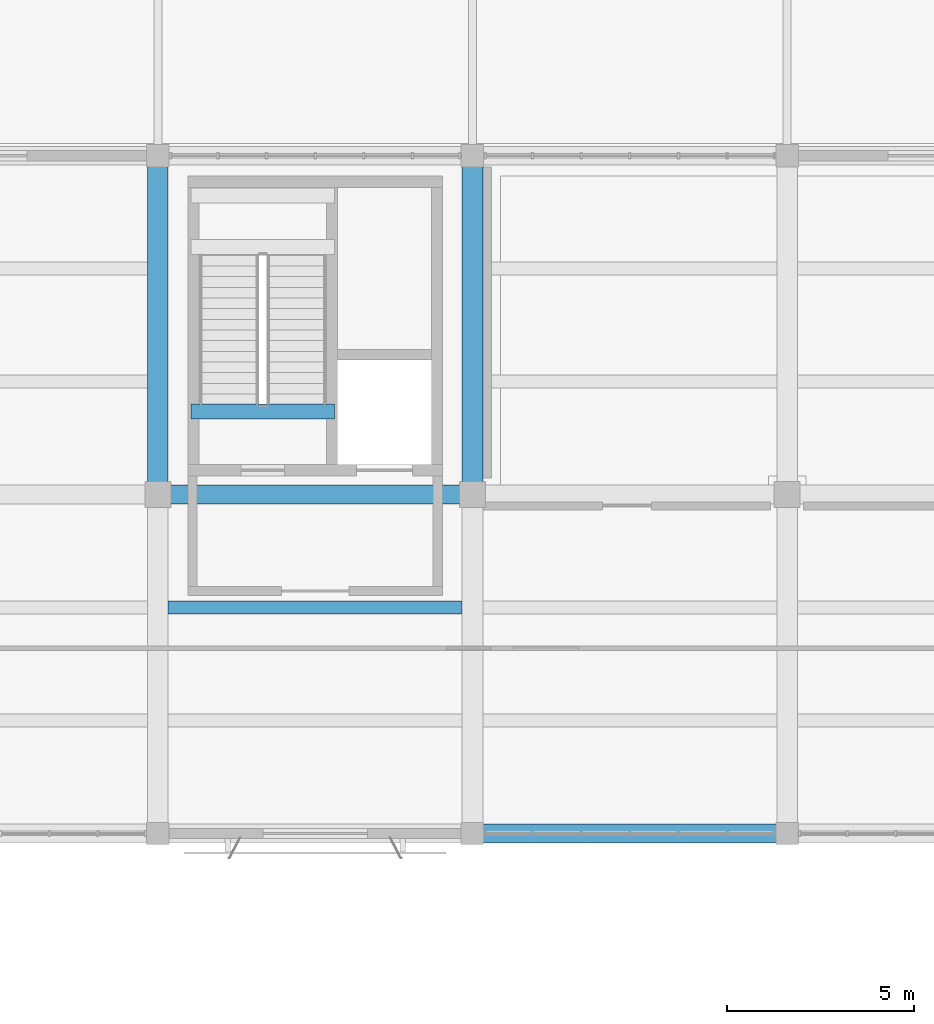
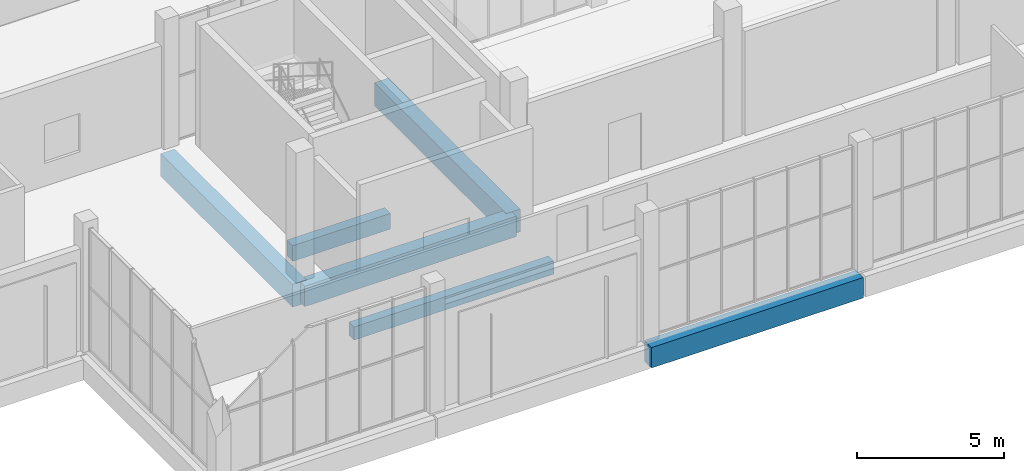
# One storey, part 71 of 132: 6 beams.
"""IFC4 building model written with IfcOpenShell, lengths in metres."""

import ifcopenshell
import ifcopenshell.guid

model = None  # the IFC model being written
_history = None  # IfcOwnerHistory: only IFC2X3 demands one
_inside = {}  # id of a spatial element -> (the spatial element, [elements in it])
_under = {}  # id of a project, library or spatial element -> (it, [spatial elements below it])
_declared = {}  # id of a project -> (the project, [libraries it declares])
_typed = {}  # id of a type object -> (the type object, [elements of that type])
_made_of = {}  # id of a material, layer set ... -> (it, [elements and type objects made of it])


def new_model(schema):
    """Start an empty IFC model of exactly this schema.

    Asked for "IFC4X3", IfcOpenShell would pick the latest addendum, in which some entities
    have other attributes; the version numbers below select the first issue.
    IFC2X3 requires an IfcOwnerHistory on every rooted entity: one is made here for all.
    """
    global model, _history
    if schema == "IFC4X3":
        model = ifcopenshell.file(schema_version=(4, 3, 0, 0))
    else:
        model = ifcopenshell.file(schema=schema)
    _inside.clear()
    _under.clear()
    _declared.clear()
    _typed.clear()
    _made_of.clear()
    _history = None
    if model.schema == "IFC2X3":
        org = make("IfcOrganization", Name="unknown")
        user = make(
            "IfcPersonAndOrganization",
            ThePerson=make("IfcPerson", FamilyName="unknown"),
            TheOrganization=org,
        )
        app = make(
            "IfcApplication",
            ApplicationDeveloper=org,
            Version="unknown",
            ApplicationFullName="unknown",
            ApplicationIdentifier="unknown",
        )
        _history = make(
            "IfcOwnerHistory",
            OwningUser=user,
            OwningApplication=app,
            ChangeAction="ADDED",
            CreationDate=0,
        )
    return model


def make(cls, **values):
    """One entity of the class cls with the attributes given. An attribute that is None is left unset."""
    return model.create_entity(
        cls, **{name: value for name, value in values.items() if value is not None}
    )


def rooted(cls, **values):
    """An entity with a GlobalId (a new one), such as an element, a storey or a relation."""
    return make(cls, GlobalId=ifcopenshell.guid.new(), OwnerHistory=_history, **values)


def si_unit(unit_type, name, prefix=None):
    """IfcSIUnit, for example si_unit("LENGTHUNIT", "METRE", prefix="MILLI")."""
    return make("IfcSIUnit", UnitType=unit_type, Prefix=prefix, Name=name)


def assignment(units):
    """IfcUnitAssignment: the units of a project."""
    return None if units is None else make("IfcUnitAssignment", Units=units)


def point(xyz):
    """IfcCartesianPoint."""
    return None if xyz is None else make("IfcCartesianPoint", Coordinates=xyz)


def direction(xyz):
    """IfcDirection."""
    return None if xyz is None else make("IfcDirection", DirectionRatios=xyz)


def frame(location, z_axis=None, x_axis=None):
    """IfcAxis2Placement3D, a coordinate frame: its origin and axes. An axis left out is left unset."""
    return make(
        "IfcAxis2Placement3D",
        Location=point(location),
        Axis=direction(z_axis),
        RefDirection=direction(x_axis),
    )


def frame_2d(location, x_axis=None):
    """IfcAxis2Placement2D, a coordinate frame in the plane: its origin and x axis."""
    return make(
        "IfcAxis2Placement2D", Location=point(location), RefDirection=direction(x_axis)
    )


def origin():
    """The frame at (0, 0, 0) with its axes left unset."""
    return frame((0.0, 0.0, 0.0))


def origin_2d():
    """The frame at (0, 0) in the plane with its x axis left unset."""
    return frame_2d((0.0, 0.0))


def place(relative_to, where):
    """IfcLocalPlacement: puts the frame where relative to a parent placement (None: the world)."""
    return make(
        "IfcLocalPlacement", PlacementRelTo=relative_to, RelativePlacement=where
    )


def context(
    kind, dimensions, precision=None, world=None, true_north=None, identifier=None
):
    """IfcGeometricRepresentationContext, for example the 3D "Model" context."""
    return make(
        "IfcGeometricRepresentationContext",
        ContextIdentifier=identifier,
        ContextType=kind,
        CoordinateSpaceDimension=dimensions,
        Precision=precision,
        WorldCoordinateSystem=world,
        TrueNorth=true_north,
    )


def subcontext(parent, identifier, kind, view, scale=None):
    """IfcGeometricRepresentationSubContext, for example "Body" below "Model"."""
    return make(
        "IfcGeometricRepresentationSubContext",
        ContextIdentifier=identifier,
        ContextType=kind,
        ParentContext=parent,
        TargetScale=scale,
        TargetView=view,
    )


def project(units=None, contexts=None):
    """IfcProject with its units and contexts."""
    return rooted(
        "IfcProject",
        Name="project",
        RepresentationContexts=contexts,
        UnitsInContext=assignment(units),
    )


def spatial(cls, under=None, at=None, **own):
    """A site, building, storey or space (cls), placed at a placement, below another one or the project."""
    s = rooted(cls, ObjectPlacement=at, **own)
    if under is not None:
        _under.setdefault(under.id(), (under, []))[1].append(s)
    return s


def profile(cls, at=None, kind="AREA", **sizes):
    """A parametric profile (cls). Its sizes go by their IFC names, for example OverallWidth=200.0."""
    return make(cls, ProfileType=kind, Position=at, **sizes)


def rectangle(**sizes):
    """IfcRectangleProfileDef."""
    return profile("IfcRectangleProfileDef", **sizes)


def extrude(swept, where, along, depth):
    """IfcExtrudedAreaSolid: the profile swept, set in the frame where, extruded along a direction by depth."""
    return make(
        "IfcExtrudedAreaSolid",
        SweptArea=swept,
        Position=where,
        ExtrudedDirection=direction(along),
        Depth=depth,
    )


def shape(context_of_items, identifier, shape_type, items):
    """IfcShapeRepresentation: the items that make up one representation, for example the "Body"."""
    return make(
        "IfcShapeRepresentation",
        ContextOfItems=context_of_items,
        RepresentationIdentifier=identifier,
        RepresentationType=shape_type,
        Items=items,
    )


def material(Name=None, Category=None):
    """IfcMaterial."""
    return make("IfcMaterial", Name=Name, Category=Category)


def material_profile(
    of_material, cross_section, Name=None, Category=None, Priority=None
):
    """IfcMaterialProfile: a cross section and its material."""
    return make(
        "IfcMaterialProfile",
        Name=Name,
        Material=of_material,
        Profile=cross_section,
        Priority=Priority,
        Category=Category,
    )


def profile_set(profiles, Name=None, composite=None):
    """IfcMaterialProfileSet."""
    return make(
        "IfcMaterialProfileSet",
        Name=Name,
        MaterialProfiles=profiles,
        CompositeProfile=composite,
    )


def made_of(thing, what):
    """Note that an element or type object is made of a material, layer set ...; save() writes the relation."""
    if what is not None:
        _made_of.setdefault(what.id(), (what, []))[1].append(thing)
    return thing


def type_object(cls, material=None, **own):
    """A type object (cls), such as IfcWallType, which elements share."""
    return made_of(rooted(cls, **own), material)


def element(
    cls,
    number,
    at=None,
    inside=None,
    cuts=None,
    type_object=None,
    material=None,
    context=None,
    identifier="Body",
    shape_type=None,
    held_by="IfcProductDefinitionShape",
    body=None,
    shapes=None,
    **own,
):
    """One element of the class cls, such as IfcWall. Its Tag is "e" and its number.

    at: its placement. inside: the storey or other place that contains it. cuts: it is an
    opening in that element (IfcRelVoidsElement). A single representation is given by context,
    identifier, shape_type and body (its items); several are given by shapes. held_by: the class
    of the entity that holds the representations. save() writes the other relations.
    """
    e = rooted(cls, Tag="e%d" % number, ObjectPlacement=at, **own)
    if body is not None:
        shapes = [shape(context, identifier, shape_type, body)]
    if shapes is not None:
        e.Representation = make(held_by, Representations=shapes)
    if inside is not None:
        _inside.setdefault(inside.id(), (inside, []))[1].append(e)
    if cuts is not None:
        rooted(
            "IfcRelVoidsElement", RelatingBuildingElement=cuts, RelatedOpeningElement=e
        )
    if type_object is not None:
        _typed.setdefault(type_object.id(), (type_object, []))[1].append(e)
    return made_of(e, material)


def aggregate(whole, parts):
    """IfcRelAggregates: a whole, such as a stair, and the parts it consists of."""
    return rooted("IfcRelAggregates", RelatingObject=whole, RelatedObjects=parts)


def save(model, path):
    """Write the relations noted so far, then the file.

    IfcRelAggregates (storeys below a building ...), IfcRelContainedInSpatialStructure (elements
    in a storey), IfcRelDefinesByType, IfcRelAssociatesMaterial and IfcRelDeclares: one each for
    every whole, place, type object, material and project.
    """
    for whole, parts in _under.values():
        aggregate(whole, parts)
    for where, things in _inside.values():
        rooted(
            "IfcRelContainedInSpatialStructure",
            RelatedElements=things,
            RelatingStructure=where,
        )
    for kind, things in _typed.values():
        rooted("IfcRelDefinesByType", RelatedObjects=things, RelatingType=kind)
    for what, things in _made_of.values():
        rooted("IfcRelAssociatesMaterial", RelatedObjects=things, RelatingMaterial=what)
    for by, libraries in _declared.values():
        rooted("IfcRelDeclares", RelatingContext=by, RelatedDefinitions=libraries)
    model.write(path)


model = new_model("IFC4")

# Units and contexts
model_context = context("Model", 3, precision=1e-05, world=origin(), true_north=direction((0.0, 1.0)))
body_context = subcontext(model_context, "Body", "Model", "MODEL_VIEW")
ifc_project = project(units=[si_unit("LENGTHUNIT", "METRE"), si_unit("AREAUNIT", "SQUARE_METRE"), si_unit("VOLUMEUNIT", "CUBIC_METRE"), si_unit("PLANEANGLEUNIT", "RADIAN"), si_unit("MASSUNIT", "GRAM", prefix="KILO")], contexts=[model_context])

# Site, building, storey
site_placement = place(None, origin())
site = spatial("IfcSite", under=ifc_project, at=site_placement, CompositionType="ELEMENT")
building_placement = place(site_placement, origin())
building = spatial("IfcBuilding", under=site, at=building_placement, Name="Khurvash Pelagic Aquarium", CompositionType="ELEMENT")
storey_placement = place(building_placement, frame((0.0, 0.0, 5.39990234375)))
storey = spatial("IfcBuildingStorey", under=building, at=storey_placement, Name="L01", CompositionType="ELEMENT", Elevation=5.39990234375)

# Beams
ifc_material_1 = material(Name="Concrete C40/50", Category="concrete")
ifc_material_profile_1 = material_profile(ifc_material_1, rectangle(XDim=0.550048828125, YDim=0.949951171875, at=origin_2d()), Name="RC550X950")
ifc_profile_set_1 = profile_set([ifc_material_profile_1], Name="Concrete C40/50")
beam_type_1 = type_object("IfcBeamType", Name="BM-02", PredefinedType="BEAM", material=ifc_profile_set_1)
for number, where, z_axis, x_axis, name in (
    (1, (67.199951171875, 93.139892578125, -0.784912109375), (0.0, 1.0, 0.0), (-1.0, 0.0, 0.0), "L01 Primary Girder BM-02 00397"),
    (2, (75.60009765625, 93.139892578125, -0.784912109375), (0.0, 1.0, 0.0), (-1.0, 0.0, 0.0), "L01 Primary Girder BM-02 00401"),
):
    element("IfcBeam", number, at=place(storey_placement, frame(where, z_axis=z_axis, x_axis=x_axis)), inside=storey, type_object=beam_type_1, Name=name, PredefinedType="BEAM", context=body_context, shape_type="SweptSolid", body=[
        extrude(rectangle(XDim=0.550048828125, YDim=0.949951171875, at=origin_2d()), origin(), (0.0, 0.0, 1.0), 8.97021484375),
    ])
ifc_material_profile_2 = material_profile(ifc_material_1, rectangle(XDim=0.5, YDim=0.85009765625, at=origin_2d()), Name="RC500X850")
ifc_profile_set_2 = profile_set([ifc_material_profile_2], Name="Concrete C40/50")
beam_type_2 = type_object("IfcBeamType", Name="BM-03", PredefinedType="BEAM", material=ifc_profile_set_2)
beam_1_placement = place(storey_placement, frame((67.239990234375, 93.10009765625, -0.744873046875), z_axis=(1.0, 0.0, 0.0), x_axis=(0.0, 1.0, 0.0)))
element("IfcBeam", 3, at=beam_1_placement, inside=storey, type_object=beam_type_2, Name="L01 Primary Girder BM-03 00331", PredefinedType="BEAM", context=body_context, shape_type="SweptSolid", body=[
    extrude(rectangle(XDim=0.5, YDim=0.85009765625, at=origin_2d()), origin(), (0.0, 0.0, 1.0), 8.320068359375),
])
ifc_material_2 = material(Name="Concrete C35/45", Category="concrete")
ifc_material_profile_3 = material_profile(ifc_material_2, rectangle(XDim=0.39990234375, YDim=0.64990234375, at=origin_2d()), Name="RC400X650")
ifc_profile_set_3 = profile_set([ifc_material_profile_3], Name="Concrete C35/45")
beam_type_3 = type_object("IfcBeamType", Name="BM-05", PredefinedType="BEAM", material=ifc_profile_set_3)
beam_2_placement = place(storey_placement, frame((68.080078125, 95.320068359375, -0.635009765625), z_axis=(1.0, 0.0, 0.0), x_axis=(0.0, 1.0, 0.0)))
element("IfcBeam", 4, at=beam_2_placement, inside=storey, type_object=beam_type_3, Name="L01 Stair ST-04 Header Trimmer Beam BM-05", PredefinedType="BEAM", context=body_context, shape_type="SweptSolid", body=[
    extrude(rectangle(XDim=0.39990234375, YDim=0.64990234375, at=origin_2d()), origin(), (0.0, 0.0, 1.0), 3.83984375),
])
ifc_material_profile_4 = material_profile(ifc_material_2, rectangle(XDim=0.35009765625, YDim=0.550048828125, at=origin_2d()), Name="RC350X550")
ifc_profile_set_4 = profile_set([ifc_material_profile_4], Name="Concrete C35/45")
beam_type_4 = type_object("IfcBeamType", Name="JS-01", PredefinedType="JOIST", material=ifc_profile_set_4)
beam_3_placement = place(storey_placement, frame((67.47509765625, 90.0830078125, -0.5849609375), z_axis=(1.0, 0.0, 0.0), x_axis=(0.0, 1.0, 0.0)))
element("IfcBeam", 5, at=beam_3_placement, inside=storey, type_object=beam_type_4, Name="L01 Floor Joist JS-01 00513", PredefinedType="JOIST", context=body_context, shape_type="SweptSolid", body=[
    extrude(rectangle(XDim=0.35009765625, YDim=0.550048828125, at=origin_2d()), origin(), (0.0, 0.0, 1.0), 7.849853515625),
])
ifc_material_profile_5 = material_profile(ifc_material_1, rectangle(XDim=0.5, YDim=0.85009765625, at=origin_2d()), Name="RC500X850")
ifc_profile_set_5 = profile_set([ifc_material_profile_5], Name="Concrete C40/50")
beam_type_5 = type_object("IfcBeamType", Name="SEB-03", PredefinedType="SPANDREL", material=ifc_profile_set_5)
beam_4_placement = place(storey_placement, frame((75.639892578125, 84.050048828125, -0.744873046875), z_axis=(1.0, 0.0, 0.0), x_axis=(0.0, 1.0, 0.0)))
element("IfcBeam", 6, at=beam_4_placement, inside=storey, type_object=beam_type_5, Name="L01 Primary Girder SEB-03 00312", PredefinedType="SPANDREL", context=body_context, shape_type="SweptSolid", body=[
    extrude(rectangle(XDim=0.5, YDim=0.85009765625, at=origin_2d()), origin(), (0.0, 0.0, 1.0), 8.320068359375),
])

save(model, "model.ifc")
